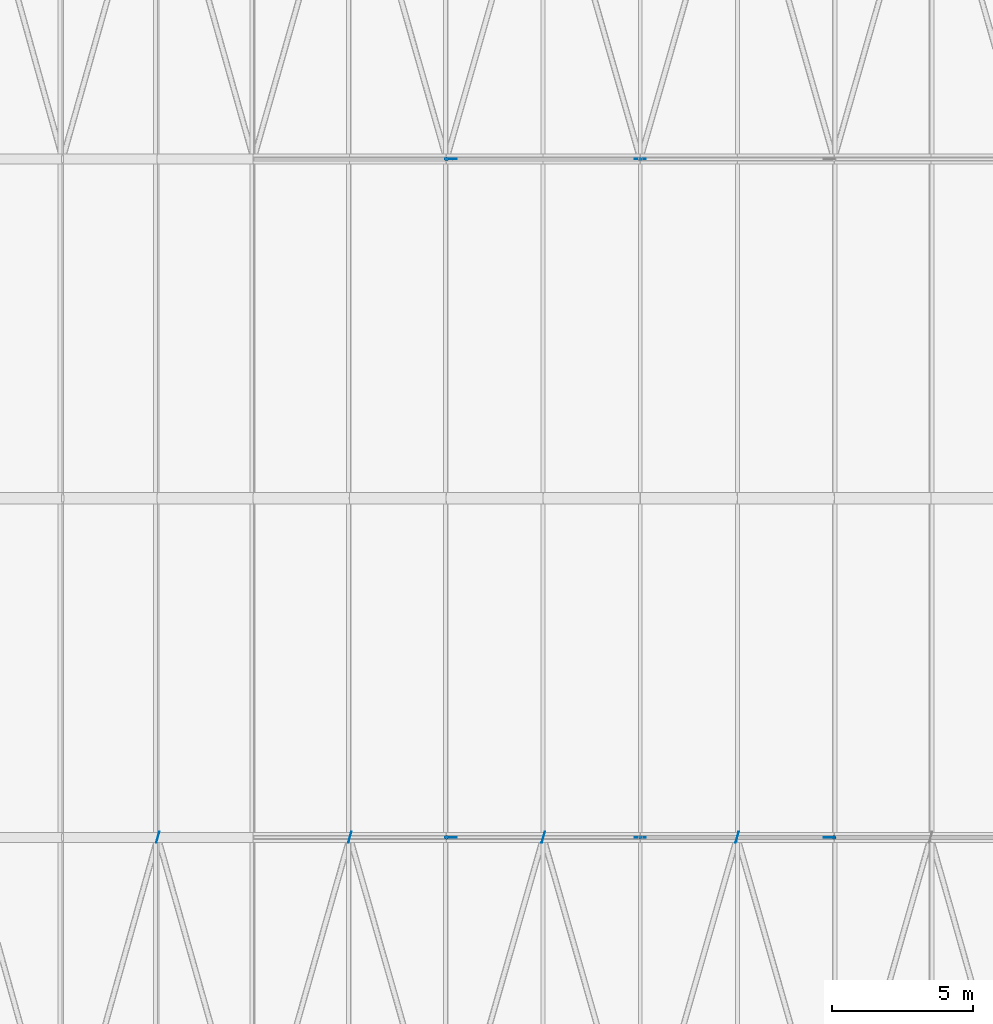
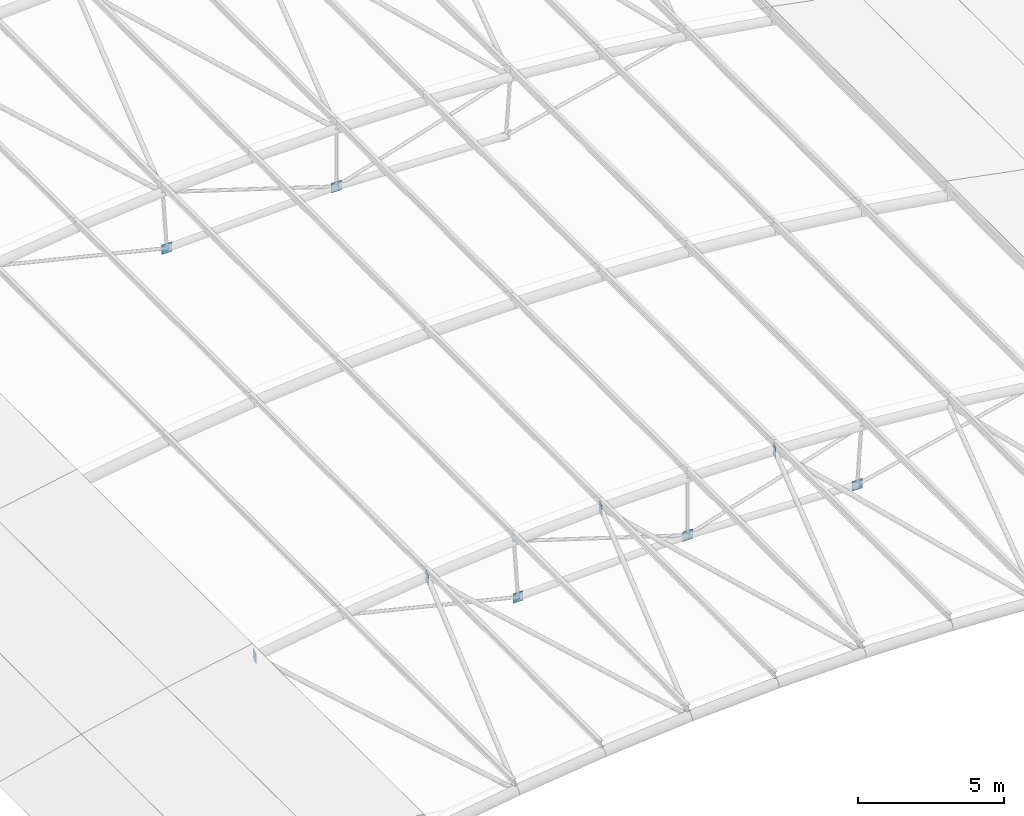
# One storey, part 66 of 91: 14 discrete accessories.
"""IFC4 building model written with IfcOpenShell, lengths in metres."""

from ifc_helpers import new_model, si_unit, direction, frame, origin, origin_2d, place, context, subcontext, project, spatial, rectangle, circle, extrude, material, material_profile, profile_set, type_object, element, save


model = new_model("IFC4")

# Units and contexts
model_context = context("Model", 3, precision=1e-05, world=origin(), true_north=direction((0.0, 1.0)))
body_context = subcontext(model_context, "Body", "Model", "MODEL_VIEW")
ifc_project = project(units=[si_unit("LENGTHUNIT", "METRE"), si_unit("AREAUNIT", "SQUARE_METRE"), si_unit("VOLUMEUNIT", "CUBIC_METRE"), si_unit("PLANEANGLEUNIT", "RADIAN"), si_unit("MASSUNIT", "GRAM", prefix="KILO")], contexts=[model_context])

# Site, building, storey
site_placement = place(None, origin())
site = spatial("IfcSite", under=ifc_project, at=site_placement, CompositionType="ELEMENT")
building_placement = place(site_placement, origin())
building = spatial("IfcBuilding", under=site, at=building_placement, Name="Ravi Spectrum Wholesale Market", CompositionType="ELEMENT")
storey_placement = place(building_placement, frame((0.0, 0.0, 16.199951171875)))
storey = spatial("IfcBuildingStorey", under=building, at=storey_placement, Name="ROOF PLANT LEVEL", CompositionType="ELEMENT", Elevation=16.199951171875)

# Discrete accessories
ifc_material_1 = material(Name="Steel S355", Category="steel")
ifc_material_profile_1 = material_profile(ifc_material_1, circle(Radius=0.06982421875, at=origin_2d()))
ifc_profile_set_1 = profile_set([ifc_material_profile_1], Name="Steel S355")
discrete_accessory_type_1 = type_object("IfcDiscreteAccessoryType", Name="End plate CHS 139.7x5", PredefinedType="BRACKET", material=ifc_profile_set_1)
for number, where, z_axis, x_axis, name in (
    (1, (63.142822265625, 42.0, 2.788818359375), (-0.081362009455, 0.0, 0.996684615823), (0.0, -1.0, 0.0), "End plate"),
    (2, (70.0, 42.0, 3.025390625), (0.0, 0.0, 1.0), (1.0, 0.0, 0.0), "End plate"),
    (3, (76.857177734375, 42.0, 2.788818359375), (0.081362009455, 0.0, 0.996684615823), (0.0, 1.0, 0.0), "End plate"),
    (4, (63.142822265625, 66.0, 2.788818359375), (-0.081362009455, 0.0, 0.996684615823), (0.0, -1.0, 0.0), "End plate"),
    (5, (70.0, 66.0, 3.025390625), (0.0, 0.0, 1.0), (1.0, 0.0, 0.0), "End plate"),
):
    element("IfcDiscreteAccessory", number, at=place(storey_placement, frame(where, z_axis=z_axis, x_axis=x_axis)), inside=storey, type_object=discrete_accessory_type_1, Name=name, PredefinedType="BRACKET", context=body_context, shape_type="SweptSolid", body=[
        extrude(circle(Radius=0.06982421875, at=origin_2d()), origin(), (0.0, 0.0, 1.0), 0.011962890625),
    ])
ifc_material_2 = material(Name="Steel S355", Category="steel")
ifc_material_profile_2 = material_profile(ifc_material_2, rectangle(XDim=0.39990234375, YDim=0.02001953125, at=origin_2d()))
ifc_profile_set_2 = profile_set([ifc_material_profile_2], Name="Steel S355")
discrete_accessory_type_2 = type_object("IfcDiscreteAccessoryType", Name="Gusset plate 400x400x20", PredefinedType="BRACKET", material=ifc_profile_set_2)
discrete_accessory_placement = place(storey_placement, frame((52.92822265625, 42.0, 1.349365234375), z_axis=(0.0, 0.0, 1.0), x_axis=(0.269956552127, 0.962872504522, 0.0)))
element("IfcDiscreteAccessory", 6, at=discrete_accessory_placement, inside=storey, type_object=discrete_accessory_type_2, Name="Gusset plate", PredefinedType="BRACKET", context=body_context, shape_type="SweptSolid", body=[
    extrude(rectangle(XDim=0.39990234375, YDim=0.02001953125, at=origin_2d()), origin(), (0.0, 0.0, 1.0), 0.400146484375),
])
for number, where, z_axis, x_axis, name in (
    (7, (59.724365234375, 42.0, 2.293212890625), (0.0, 0.0, 1.0), (0.272804059327, 0.962069615576, 0.0), "Gusset plate"),
    (8, (63.30810546875, 42.0, 0.194580078125), (0.0, 0.0, 1.0), (1.0, 0.0, 0.0), "Gusset plate"),
    (9, (63.30810546875, 66.0, 0.194580078125), (0.0, 0.0, 1.0), (1.0, 0.0, 0.0), "Gusset plate"),
    (10, (66.5693359375, 42.0, 2.766357421875), (0.0, 0.0, 1.0), (0.274445115423, 0.961602765502, 0.0), "Gusset plate"),
    (11, (70.0, 42.0, 0.425537109375), (0.0, 0.0, 1.0), (1.0, 0.0, 0.0), "Gusset plate"),
    (12, (70.0, 66.0, 0.425537109375), (0.0, 0.0, 1.0), (1.0, 0.0, 0.0), "Gusset plate"),
    (13, (73.4306640625, 42.0, 2.766357421875), (0.0, 0.0, 1.0), (0.274877393372, 0.961479286627, 0.0), "Gusset plate"),
    (14, (76.69189453125, 42.0, 0.194580078125), (0.0, 0.0, 1.0), (-1.0, 0.0, 0.0), "Gusset plate"),
):
    element("IfcDiscreteAccessory", number, at=place(storey_placement, frame(where, z_axis=z_axis, x_axis=x_axis)), inside=storey, type_object=discrete_accessory_type_2, Name=name, PredefinedType="BRACKET", context=body_context, shape_type="SweptSolid", body=[
        extrude(rectangle(XDim=0.39990234375, YDim=0.02001953125, at=origin_2d()), origin(), (0.0, 0.0, 1.0), 0.39990234375),
    ])

save(model, "model.ifc")
